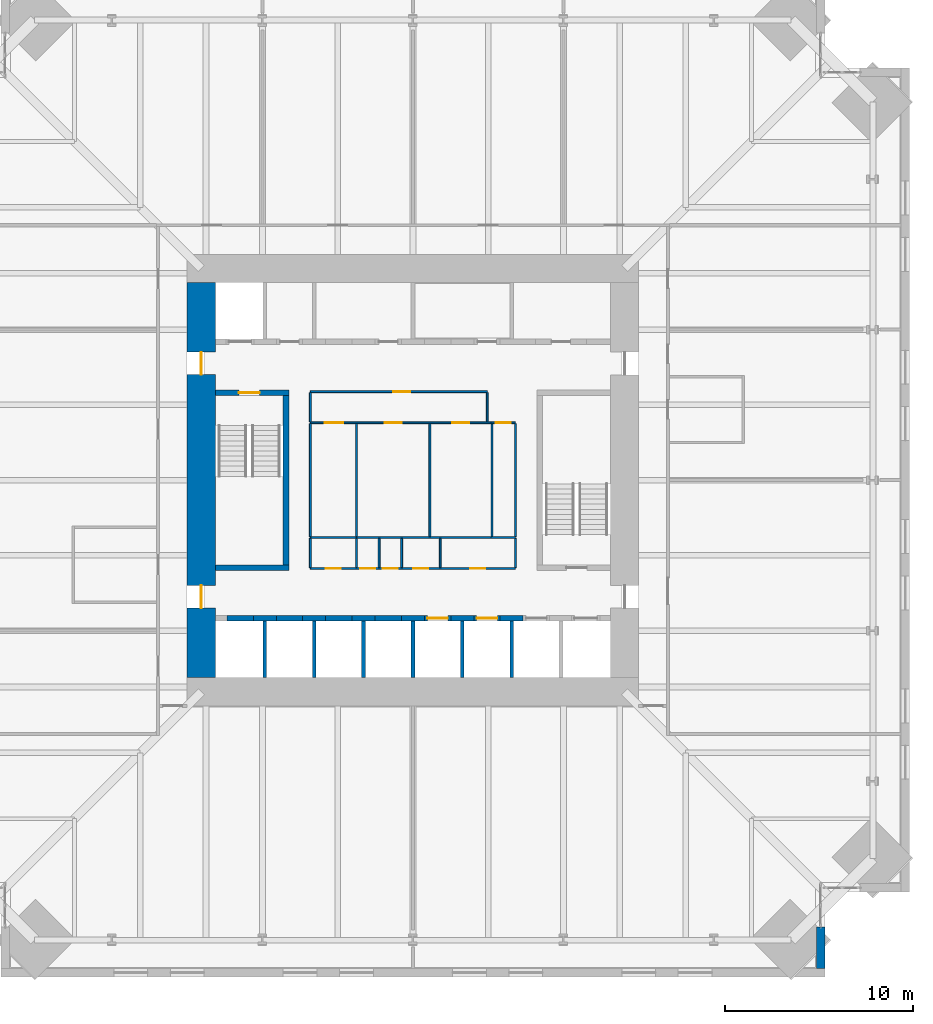
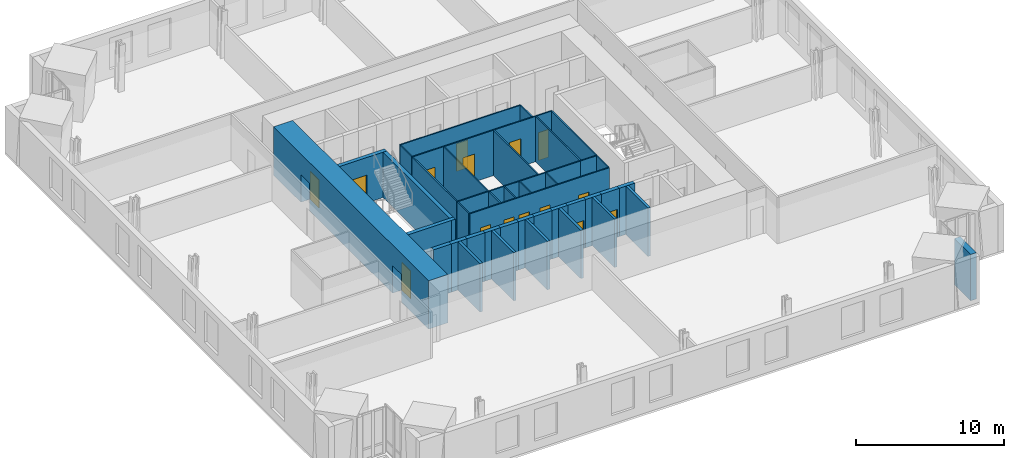
# One storey, part 14 of 18: 42 walls, 15 doors, 15 openings.
"""IFC4 building model written with IfcOpenShell, lengths in metres."""

from ifc_helpers import new_model, si_unit, direction, frame, frame_2d, origin, place, context, subcontext, project, spatial, rectangle, extrude, material, layer, layer_set, type_object, element, fill, save


model = new_model("IFC4")

# Units and contexts
model_context = context("Model", 3, precision=1e-05, world=origin(), true_north=direction((0.0, 1.0)))
body_context = subcontext(model_context, "Body", "Model", "MODEL_VIEW")
ifc_project = project(units=[si_unit("LENGTHUNIT", "METRE"), si_unit("AREAUNIT", "SQUARE_METRE"), si_unit("VOLUMEUNIT", "CUBIC_METRE"), si_unit("PLANEANGLEUNIT", "RADIAN"), si_unit("MASSUNIT", "GRAM", prefix="KILO")], contexts=[model_context])

# Site, building, storey
site_placement = place(None, origin())
site = spatial("IfcSite", under=ifc_project, at=site_placement, CompositionType="ELEMENT")
building_placement = place(site_placement, origin())
building = spatial("IfcBuilding", under=site, at=building_placement, Name="Peilmerk Tower", CompositionType="ELEMENT")
storey_placement = place(building_placement, frame((0.0, 0.0, 159.800048828125)))
storey = spatial("IfcBuildingStorey", under=building, at=storey_placement, Name="L33", CompositionType="ELEMENT", Elevation=159.800048828125)

# Walls
ifc_material_1 = material(Name="Precast concrete C45/55, board-marked finish", Category="concrete")
ifc_layer_1 = layer(ifc_material_1, 0.449951171875)
ifc_layer_set_1 = layer_set([ifc_layer_1], Name="Precast concrete C45/55, board-marked finish")
wall_type_1 = type_object("IfcWallType", Name="EW1 450 precast concrete facade wall, board-marked", PredefinedType="SOLIDWALL", material=ifc_layer_set_1)
wall_1_placement = place(storey_placement, frame((21.675048828125, -23.753662109375, 0.0), z_axis=(0.0, 0.0, 1.0), x_axis=(0.0, -1.0, 0.0)))
element("IfcWall", 1, at=wall_1_placement, inside=storey, type_object=wall_type_1, Name="Facade wall SEA L33", PredefinedType="SOLIDWALL", context=body_context, shape_type="SweptSolid", body=[
    extrude(rectangle(XDim=2.1962890625, YDim=0.449951171875, at=frame_2d((1.09814453125, 0.0))), origin(), (0.0, 0.0, 1.0), 3.829833984375),
])
ifc_material_2 = material(Name="Concrete C35/45", Category="concrete")
ifc_layer_2 = layer(ifc_material_2, 0.300048828125)
ifc_layer_set_2 = layer_set([ifc_layer_2], Name="Concrete C35/45")
wall_type_2 = type_object("IfcWallType", Name="IW3 300 concrete stair enclosure wall, EI 120", PredefinedType="SOLIDWALL", material=ifc_layer_set_2)
wall_2_placement = place(storey_placement, frame((-6.75, -4.800048828125, 0.0), z_axis=(0.0, 0.0, 1.0), x_axis=(0.0, 1.0, 0.0)))
element("IfcWall", 2, at=wall_2_placement, inside=storey, type_object=wall_type_2, Name="Stair 1 enclosure L33", PredefinedType="SOLIDWALL", context=body_context, shape_type="SweptSolid", body=[
    extrude(rectangle(XDim=9.60009765625, YDim=0.300048828125, at=frame_2d((4.800048828125, 0.0))), origin(), (0.0, 0.0, 1.0), 3.75),
])

# Wall, opening, door
wall_3_placement = place(storey_placement, frame((-10.5, 4.64990234375, 0.0), z_axis=(0.0, 0.0, 1.0), x_axis=(1.0, 0.0, 0.0)))
wall_3 = element("IfcWall", 3, at=wall_3_placement, inside=storey, type_object=wall_type_2, Name="Stair 1 enclosure L33", PredefinedType="SOLIDWALL", context=body_context, shape_type="SweptSolid", body=[
    extrude(rectangle(XDim=3.89990234375, YDim=0.300048828125, at=frame_2d((1.949951171875, 0.0))), origin(), (0.0, 0.0, 1.0), 3.75),
])
opening_1_placement = place(wall_3_placement, frame((1.25, 0.0, 0.0)))
opening_1 = element("IfcOpeningElement", 4, at=opening_1_placement, cuts=wall_3, Name="Opening D4", PredefinedType="OPENING", context=body_context, shape_type="SweptSolid", body=[
    extrude(rectangle(XDim=1.10009765625, YDim=2.300048828125, at=frame_2d((0.550048828125, 1.14990234375))), frame((0.0, 0.159912109375, 0.0), z_axis=(0.0, -1.0, 0.0), x_axis=(1.0, 0.0, 0.0)), (0.0, 0.0, 1.0), 0.320068359375),
])
ifc_material_3 = material(Name="Steel door in steel frame", Category="steel")
door_type_1 = type_object("IfcDoorType", Name="D4 1100x2300 stair door, EI2 60", OperationType="SINGLE_SWING_RIGHT", PredefinedType="DOOR", material=ifc_material_3)
door_1_placement = place(opening_1_placement, frame((1.10009765625, 0.0, 0.0), z_axis=(0.0, 0.0, 1.0), x_axis=(-1.0, 0.0, 0.0)))
door_1 = element("IfcDoor", 5, at=door_1_placement, inside=storey, type_object=door_type_1, Name="Stair 1 door L33", OperationType="SINGLE_SWING_RIGHT", OverallHeight=2.300048828125, OverallWidth=1.10009765625, PredefinedType="DOOR", context=body_context, shape_type="SweptSolid", body=[
    extrude(rectangle(XDim=1.10009765625, YDim=2.300048828125, at=frame_2d((0.550048828125, 1.14990234375))), frame((0.0, 0.02490234375, 0.0), z_axis=(0.0, -1.0, 0.0), x_axis=(1.0, 0.0, 0.0)), (0.0, 0.0, 1.0), 0.050048828125),
])
fill(opening_1, door_1)

# Wall
wall_4_placement = place(storey_placement, frame((-6.60009765625, -4.64990234375, 0.0), z_axis=(0.0, 0.0, 1.0), x_axis=(-1.0, 0.0, 0.0)))
element("IfcWall", 6, at=wall_4_placement, inside=storey, type_object=wall_type_2, Name="Stair 1 enclosure L33", PredefinedType="SOLIDWALL", context=body_context, shape_type="SweptSolid", body=[
    extrude(rectangle(XDim=3.89990234375, YDim=0.300048828125, at=frame_2d((1.949951171875, 0.0))), origin(), (0.0, 0.0, 1.0), 3.75),
])

# Wall, openings, doors
ifc_material_4 = material(Name="Plasterboard on steel studs", Category="steel")
ifc_layer_3 = layer(ifc_material_4, 0.10009765625)
ifc_layer_set_3 = layer_set([ifc_layer_3], Name="Plasterboard on steel studs")
wall_type_3 = type_object("IfcWallType", Name="IW4 100 WC partition", PredefinedType="PARTITIONING", material=ifc_layer_set_3)
wall_5_placement = place(storey_placement, frame((-5.449951171875, 3.050048828125, 0.0), z_axis=(0.0, 0.0, 1.0), x_axis=(1.0, 0.0, 0.0)))
wall_5 = element("IfcWall", 7, at=wall_5_placement, inside=storey, type_object=wall_type_3, Name="WC wall L33", PredefinedType="PARTITIONING", context=body_context, shape_type="SweptSolid", body=[
    extrude(rectangle(XDim=9.599853515625, YDim=0.10009765625, at=frame_2d((4.7998046875, 0.0))), origin(), (0.0, 0.0, 1.0), 3.75),
])
opening_2_placement = place(wall_5_placement, frame((0.75, 0.0, 0.0)))
opening_2 = element("IfcOpeningElement", 8, at=opening_2_placement, cuts=wall_5, Name="Opening D6", PredefinedType="OPENING", context=body_context, shape_type="SweptSolid", body=[
    extrude(rectangle(XDim=1.0, YDim=2.300048828125, at=frame_2d((0.5, 1.14990234375))), frame((0.0, 0.06005859375, 0.0), z_axis=(0.0, -1.0, 0.0), x_axis=(1.0, 0.0, 0.0)), (0.0, 0.0, 1.0), 0.1201171875),
])
opening_3_placement = place(wall_5_placement, frame((3.949951171875, 0.0, 0.0)))
opening_3 = element("IfcOpeningElement", 9, at=opening_3_placement, cuts=wall_5, Name="Opening D5", PredefinedType="OPENING", context=body_context, shape_type="SweptSolid", body=[
    extrude(rectangle(XDim=0.89990234375, YDim=2.300048828125, at=frame_2d((0.449951171875, 1.14990234375))), frame((0.0, 0.06005859375, 0.0), z_axis=(0.0, -1.0, 0.0), x_axis=(1.0, 0.0, 0.0)), (0.0, 0.0, 1.0), 0.1201171875),
])
opening_4_placement = place(wall_5_placement, frame((7.550048828125, 0.0, 0.0)))
opening_4 = element("IfcOpeningElement", 10, at=opening_4_placement, cuts=wall_5, Name="Opening D5", PredefinedType="OPENING", context=body_context, shape_type="SweptSolid", body=[
    extrude(rectangle(XDim=0.89990234375, YDim=2.300048828125, at=frame_2d((0.449951171875, 1.14990234375))), frame((0.0, 0.06005859375, 0.0), z_axis=(0.0, -1.0, 0.0), x_axis=(1.0, 0.0, 0.0)), (0.0, 0.0, 1.0), 0.1201171875),
])
ifc_material_5 = material(Name="Timber door in steel frame", Category="steel")
door_type_2 = type_object("IfcDoorType", Name="D5 900x2300 WC door", OperationType="SINGLE_SWING_LEFT", PredefinedType="DOOR", material=ifc_material_5)
door_2_placement = place(opening_3_placement, frame((0.89990234375, 0.0, 0.0), z_axis=(0.0, 0.0, 1.0), x_axis=(-1.0, 0.0, 0.0)))
door_2 = element("IfcDoor", 11, at=door_2_placement, inside=storey, type_object=door_type_2, Name="Female toilets door L33", OperationType="SINGLE_SWING_LEFT", OverallHeight=2.300048828125, OverallWidth=0.89990234375, PredefinedType="DOOR", context=body_context, shape_type="SweptSolid", body=[
    extrude(rectangle(XDim=0.89990234375, YDim=2.300048828125, at=frame_2d((0.449951171875, 1.14990234375))), frame((0.0, 0.02490234375, 0.0), z_axis=(0.0, -1.0, 0.0), x_axis=(1.0, 0.0, 0.0)), (0.0, 0.0, 1.0), 0.050048828125),
])
fill(opening_3, door_2)
door_3_placement = place(opening_4_placement, frame((0.89990234375, 0.0, 0.0), z_axis=(0.0, 0.0, 1.0), x_axis=(-1.0, 0.0, 0.0)))
door_3 = element("IfcDoor", 12, at=door_3_placement, inside=storey, type_object=door_type_2, Name="Male toilets door L33", OperationType="SINGLE_SWING_LEFT", OverallHeight=2.300048828125, OverallWidth=0.89990234375, PredefinedType="DOOR", context=body_context, shape_type="SweptSolid", body=[
    extrude(rectangle(XDim=0.89990234375, YDim=2.300048828125, at=frame_2d((0.449951171875, 1.14990234375))), frame((0.0, 0.02490234375, 0.0), z_axis=(0.0, -1.0, 0.0), x_axis=(1.0, 0.0, 0.0)), (0.0, 0.0, 1.0), 0.050048828125),
])
fill(opening_4, door_3)
door_type_3 = type_object("IfcDoorType", Name="D6 1000x2300 accessible WC door", OperationType="SLIDING_TO_LEFT", PredefinedType="DOOR", material=ifc_material_5)
door_4_placement = place(opening_2_placement, frame((1.0, 0.0, 0.0), z_axis=(0.0, 0.0, 1.0), x_axis=(-1.0, 0.0, 0.0)))
door_4 = element("IfcDoor", 13, at=door_4_placement, inside=storey, type_object=door_type_3, Name="Accessible WC door L33", OperationType="SLIDING_TO_LEFT", OverallHeight=2.300048828125, OverallWidth=1.0, PredefinedType="DOOR", context=body_context, shape_type="SweptSolid", body=[
    extrude(rectangle(XDim=1.0, YDim=2.300048828125, at=frame_2d((0.5, 1.14990234375))), frame((0.0, 0.02490234375, 0.0), z_axis=(0.0, -1.0, 0.0), x_axis=(1.0, 0.0, 0.0)), (0.0, 0.0, 1.0), 0.050048828125),
])
fill(opening_2, door_4)

# Walls
wall_6_placement = place(storey_placement, frame((4.14990234375, -3.050048828125, 0.0), z_axis=(0.0, 0.0, 1.0), x_axis=(-1.0, 0.0, 0.0)))
element("IfcWall", 14, at=wall_6_placement, inside=storey, type_object=wall_type_3, Name="WC wall L33", PredefinedType="PARTITIONING", context=body_context, shape_type="SweptSolid", body=[
    extrude(rectangle(XDim=9.599853515625, YDim=0.10009765625, at=frame_2d((4.7998046875, 0.0))), origin(), (0.0, 0.0, 1.0), 3.75),
])
for number, where, z_axis, x_axis, name in (
    (15, (-5.449951171875, -3.0, 0.0), (0.0, 0.0, 1.0), (0.0, 1.0, 0.0), "WC wall L33"),
    (16, (-3.0, -3.0, 0.0), (0.0, 0.0, 1.0), (0.0, 1.0, 0.0), "WC wall L33"),
    (17, (0.89990234375, -3.0, 0.0), (0.0, 0.0, 1.0), (0.0, 1.0, 0.0), "WC wall L33"),
):
    element("IfcWall", number, at=place(storey_placement, frame(where, z_axis=z_axis, x_axis=x_axis)), inside=storey, type_object=wall_type_3, Name=name, PredefinedType="PARTITIONING", context=body_context, shape_type="SweptSolid", body=[
        extrude(rectangle(XDim=6.0, YDim=0.10009765625, at=frame_2d((3.0, 0.0))), origin(), (0.0, 0.0, 1.0), 3.75),
    ])

# Wall, opening, door
ifc_material_6 = material(Name="Calcium silicate board on steel studs", Category="steel")
ifc_layer_4 = layer(ifc_material_6, 0.10009765625)
ifc_layer_set_4 = layer_set([ifc_layer_4], Name="Calcium silicate board on steel studs")
wall_type_4 = type_object("IfcWallType", Name="IW5 100 riser enclosure wall, EI 60", PredefinedType="PARTITIONING", material=ifc_layer_set_4)
wall_7_placement = place(storey_placement, frame((4.14990234375, 3.050048828125, 0.0), z_axis=(0.0, 0.0, 1.0), x_axis=(1.0, 0.0, 0.0)))
wall_7 = element("IfcWall", 18, at=wall_7_placement, inside=storey, type_object=wall_type_4, Name="Riser wall L33", PredefinedType="PARTITIONING", context=body_context, shape_type="SweptSolid", body=[
    extrude(rectangle(XDim=1.300048828125, YDim=0.10009765625, at=frame_2d((0.64990234375, 0.0))), origin(), (0.0, 0.0, 1.0), 3.75),
])
opening_5_placement = place(wall_7_placement, frame((0.25, 0.0, 0.0)))
opening_5 = element("IfcOpeningElement", 19, at=opening_5_placement, cuts=wall_7, Name="Opening D7", PredefinedType="OPENING", context=body_context, shape_type="SweptSolid", body=[
    extrude(rectangle(XDim=0.800048828125, YDim=2.300048828125, at=frame_2d((0.39990234375, 1.14990234375))), frame((0.0, 0.06005859375, 0.0), z_axis=(0.0, -1.0, 0.0), x_axis=(1.0, 0.0, 0.0)), (0.0, 0.0, 1.0), 0.1201171875),
])
door_type_4 = type_object("IfcDoorType", Name="D7 800x2300 riser access door, EI2 60", OperationType="SINGLE_SWING_RIGHT", PredefinedType="DOOR", material=ifc_material_3)
door_5_placement = place(opening_5_placement, frame((0.800048828125, 0.0, 0.0), z_axis=(0.0, 0.0, 1.0), x_axis=(-1.0, 0.0, 0.0)))
door_5 = element("IfcDoor", 20, at=door_5_placement, inside=storey, type_object=door_type_4, Name="Plumbing riser door L33", OperationType="SINGLE_SWING_RIGHT", OverallHeight=2.300048828125, OverallWidth=0.800048828125, PredefinedType="DOOR", context=body_context, shape_type="SweptSolid", body=[
    extrude(rectangle(XDim=0.800048828125, YDim=2.300048828125, at=frame_2d((0.39990234375, 1.14990234375))), frame((0.0, 0.02490234375, 0.0), z_axis=(0.0, -1.0, 0.0), x_axis=(1.0, 0.0, 0.0)), (0.0, 0.0, 1.0), 0.050048828125),
])
fill(opening_5, door_5)

# Walls
wall_8_placement = place(storey_placement, frame((5.449951171875, -3.050048828125, 0.0), z_axis=(0.0, 0.0, 1.0), x_axis=(-1.0, 0.0, 0.0)))
element("IfcWall", 21, at=wall_8_placement, inside=storey, type_object=wall_type_4, Name="Riser wall L33", PredefinedType="PARTITIONING", context=body_context, shape_type="SweptSolid", body=[
    extrude(rectangle(XDim=1.300048828125, YDim=0.10009765625, at=frame_2d((0.64990234375, 0.0))), origin(), (0.0, 0.0, 1.0), 3.75),
])
for number, where, z_axis, x_axis, name in (
    (22, (5.449951171875, 3.0, 0.0), (0.0, 0.0, 1.0), (0.0, -1.0, 0.0), "Riser wall L33"),
    (23, (4.199951171875, -3.0, 0.0), (0.0, 0.0, 1.0), (0.0, 1.0, 0.0), "Riser wall L33"),
):
    element("IfcWall", number, at=place(storey_placement, frame(where, z_axis=z_axis, x_axis=x_axis)), inside=storey, type_object=wall_type_4, Name=name, PredefinedType="PARTITIONING", context=body_context, shape_type="SweptSolid", body=[
        extrude(rectangle(XDim=6.0, YDim=0.10009765625, at=frame_2d((3.0, 0.0))), origin(), (0.0, 0.0, 1.0), 3.75),
    ])

# Wall, openings, doors
wall_9_placement = place(storey_placement, frame((5.449951171875, -4.699951171875, 0.0), z_axis=(0.0, 0.0, 1.0), x_axis=(-1.0, 0.0, 0.0)))
wall_9 = element("IfcWall", 24, at=wall_9_placement, inside=storey, type_object=wall_type_4, Name="Riser wall L33", PredefinedType="PARTITIONING", context=body_context, shape_type="SweptSolid", body=[
    extrude(rectangle(XDim=10.89990234375, YDim=0.10009765625, at=frame_2d((5.449951171875, 0.0))), origin(), (0.0, 0.0, 1.0), 3.75),
])
opening_6_placement = place(wall_9_placement, frame((9.27490234375, 0.0, 0.0)))
opening_6 = element("IfcOpeningElement", 25, at=opening_6_placement, cuts=wall_9, Name="Opening D7", PredefinedType="OPENING", context=body_context, shape_type="SweptSolid", body=[
    extrude(rectangle(XDim=0.800048828125, YDim=2.300048828125, at=frame_2d((0.39990234375, 1.14990234375))), frame((0.0, 0.06005859375, 0.0), z_axis=(0.0, -1.0, 0.0), x_axis=(1.0, 0.0, 0.0)), (0.0, 0.0, 1.0), 0.1201171875),
])
opening_7_placement = place(wall_9_placement, frame((7.449951171875, 0.0, 0.0)))
opening_7 = element("IfcOpeningElement", 26, at=opening_7_placement, cuts=wall_9, Name="Opening D7", PredefinedType="OPENING", context=body_context, shape_type="SweptSolid", body=[
    extrude(rectangle(XDim=0.800048828125, YDim=2.300048828125, at=frame_2d((0.39990234375, 1.14990234375))), frame((0.0, 0.06005859375, 0.0), z_axis=(0.0, -1.0, 0.0), x_axis=(1.0, 0.0, 0.0)), (0.0, 0.0, 1.0), 0.1201171875),
])
opening_8_placement = place(wall_9_placement, frame((6.25, 0.0, 0.0)))
opening_8 = element("IfcOpeningElement", 27, at=opening_8_placement, cuts=wall_9, Name="Opening D7", PredefinedType="OPENING", context=body_context, shape_type="SweptSolid", body=[
    extrude(rectangle(XDim=0.800048828125, YDim=2.300048828125, at=frame_2d((0.39990234375, 1.14990234375))), frame((0.0, 0.06005859375, 0.0), z_axis=(0.0, -1.0, 0.0), x_axis=(1.0, 0.0, 0.0)), (0.0, 0.0, 1.0), 0.1201171875),
])
opening_9_placement = place(wall_9_placement, frame((4.625, 0.0, 0.0)))
opening_9 = element("IfcOpeningElement", 28, at=opening_9_placement, cuts=wall_9, Name="Opening D7", PredefinedType="OPENING", context=body_context, shape_type="SweptSolid", body=[
    extrude(rectangle(XDim=0.800048828125, YDim=2.300048828125, at=frame_2d((0.39990234375, 1.14990234375))), frame((0.0, 0.06005859375, 0.0), z_axis=(0.0, -1.0, 0.0), x_axis=(1.0, 0.0, 0.0)), (0.0, 0.0, 1.0), 0.1201171875),
])
opening_10_placement = place(wall_9_placement, frame((1.60009765625, 0.0, 0.0)))
opening_10 = element("IfcOpeningElement", 29, at=opening_10_placement, cuts=wall_9, Name="Opening D7", PredefinedType="OPENING", context=body_context, shape_type="SweptSolid", body=[
    extrude(rectangle(XDim=0.800048828125, YDim=2.300048828125, at=frame_2d((0.39990234375, 1.14990234375))), frame((0.0, 0.06005859375, 0.0), z_axis=(0.0, -1.0, 0.0), x_axis=(1.0, 0.0, 0.0)), (0.0, 0.0, 1.0), 0.1201171875),
])
door_6_placement = place(opening_6_placement, frame((0.800048828125, 0.0, 0.0), z_axis=(0.0, 0.0, 1.0), x_axis=(-1.0, 0.0, 0.0)))
door_6 = element("IfcDoor", 30, at=door_6_placement, inside=storey, type_object=door_type_4, Name="Cleaner's cupboard door L33", OperationType="SINGLE_SWING_RIGHT", OverallHeight=2.300048828125, OverallWidth=0.800048828125, PredefinedType="DOOR", context=body_context, shape_type="SweptSolid", body=[
    extrude(rectangle(XDim=0.800048828125, YDim=2.300048828125, at=frame_2d((0.39990234375, 1.14990234375))), frame((0.0, 0.02490234375, 0.0), z_axis=(0.0, -1.0, 0.0), x_axis=(1.0, 0.0, 0.0)), (0.0, 0.0, 1.0), 0.050048828125),
])
fill(opening_6, door_6)
door_7_placement = place(opening_7_placement, frame((0.800048828125, 0.0, 0.0), z_axis=(0.0, 0.0, 1.0), x_axis=(-1.0, 0.0, 0.0)))
door_7 = element("IfcDoor", 31, at=door_7_placement, inside=storey, type_object=door_type_4, Name="Electrical riser door L33", OperationType="SINGLE_SWING_RIGHT", OverallHeight=2.300048828125, OverallWidth=0.800048828125, PredefinedType="DOOR", context=body_context, shape_type="SweptSolid", body=[
    extrude(rectangle(XDim=0.800048828125, YDim=2.300048828125, at=frame_2d((0.39990234375, 1.14990234375))), frame((0.0, 0.02490234375, 0.0), z_axis=(0.0, -1.0, 0.0), x_axis=(1.0, 0.0, 0.0)), (0.0, 0.0, 1.0), 0.050048828125),
])
fill(opening_7, door_7)
door_8_placement = place(opening_8_placement, frame((0.800048828125, 0.0, 0.0), z_axis=(0.0, 0.0, 1.0), x_axis=(-1.0, 0.0, 0.0)))
door_8 = element("IfcDoor", 32, at=door_8_placement, inside=storey, type_object=door_type_4, Name="Data riser door L33", OperationType="SINGLE_SWING_RIGHT", OverallHeight=2.300048828125, OverallWidth=0.800048828125, PredefinedType="DOOR", context=body_context, shape_type="SweptSolid", body=[
    extrude(rectangle(XDim=0.800048828125, YDim=2.300048828125, at=frame_2d((0.39990234375, 1.14990234375))), frame((0.0, 0.02490234375, 0.0), z_axis=(0.0, -1.0, 0.0), x_axis=(1.0, 0.0, 0.0)), (0.0, 0.0, 1.0), 0.050048828125),
])
fill(opening_8, door_8)
door_9_placement = place(opening_9_placement, frame((0.800048828125, 0.0, 0.0), z_axis=(0.0, 0.0, 1.0), x_axis=(-1.0, 0.0, 0.0)))
door_9 = element("IfcDoor", 33, at=door_9_placement, inside=storey, type_object=door_type_4, Name="Electrical room door L33", OperationType="SINGLE_SWING_RIGHT", OverallHeight=2.300048828125, OverallWidth=0.800048828125, PredefinedType="DOOR", context=body_context, shape_type="SweptSolid", body=[
    extrude(rectangle(XDim=0.800048828125, YDim=2.300048828125, at=frame_2d((0.39990234375, 1.14990234375))), frame((0.0, 0.02490234375, 0.0), z_axis=(0.0, -1.0, 0.0), x_axis=(1.0, 0.0, 0.0)), (0.0, 0.0, 1.0), 0.050048828125),
])
fill(opening_9, door_9)
door_10_placement = place(opening_10_placement, frame((0.800048828125, 0.0, 0.0), z_axis=(0.0, 0.0, 1.0), x_axis=(-1.0, 0.0, 0.0)))
door_10 = element("IfcDoor", 34, at=door_10_placement, inside=storey, type_object=door_type_4, Name="Comms room door L33", OperationType="SINGLE_SWING_RIGHT", OverallHeight=2.300048828125, OverallWidth=0.800048828125, PredefinedType="DOOR", context=body_context, shape_type="SweptSolid", body=[
    extrude(rectangle(XDim=0.800048828125, YDim=2.300048828125, at=frame_2d((0.39990234375, 1.14990234375))), frame((0.0, 0.02490234375, 0.0), z_axis=(0.0, -1.0, 0.0), x_axis=(1.0, 0.0, 0.0)), (0.0, 0.0, 1.0), 0.050048828125),
])
fill(opening_10, door_10)

# Walls
for number, where, z_axis, x_axis, name in (
    (35, (-5.449951171875, -3.10009765625, 0.0), (0.0, 0.0, 1.0), (0.0, -1.0, 0.0), "Riser wall L33"),
    (36, (5.449951171875, -3.10009765625, 0.0), (0.0, 0.0, 1.0), (0.0, -1.0, 0.0), "Riser wall L33"),
    (37, (-3.0, -3.10009765625, 0.0), (0.0, 0.0, 1.0), (0.0, -1.0, 0.0), "Riser wall L33"),
    (38, (-1.800048828125, -3.10009765625, 0.0), (0.0, 0.0, 1.0), (0.0, -1.0, 0.0), "Riser wall L33"),
    (39, (-0.60009765625, -3.10009765625, 0.0), (0.0, 0.0, 1.0), (0.0, -1.0, 0.0), "Riser wall L33"),
    (40, (1.449951171875, -3.10009765625, 0.0), (0.0, 0.0, 1.0), (0.0, -1.0, 0.0), "Riser wall L33"),
):
    element("IfcWall", number, at=place(storey_placement, frame(where, z_axis=z_axis, x_axis=x_axis)), inside=storey, type_object=wall_type_4, Name=name, PredefinedType="PARTITIONING", context=body_context, shape_type="SweptSolid", body=[
        extrude(rectangle(XDim=1.5498046875, YDim=0.10009765625, at=frame_2d((0.77490234375, 0.0))), origin(), (0.0, 0.0, 1.0), 3.75),
    ])

# Wall, opening, door
ifc_material_7 = material(Name="Fire-resisting plasterboard on steel studs", Category="steel")
ifc_layer_5 = layer(ifc_material_7, 0.10009765625)
ifc_layer_set_5 = layer_set([ifc_layer_5], Name="Fire-resisting plasterboard on steel studs")
wall_type_5 = type_object("IfcWallType", Name="IW9 100 WC lobby wall, EI 30", PredefinedType="PARTITIONING", material=ifc_layer_set_5)
wall_10_placement = place(storey_placement, frame((-5.449951171875, 4.699951171875, 0.0), z_axis=(0.0, 0.0, 1.0), x_axis=(1.0, 0.0, 0.0)))
wall_10 = element("IfcWall", 41, at=wall_10_placement, inside=storey, type_object=wall_type_5, Name="WC lobby wall L33", PredefinedType="PARTITIONING", context=body_context, shape_type="SweptSolid", body=[
    extrude(rectangle(XDim=9.39990234375, YDim=0.10009765625, at=frame_2d((4.699951171875, 0.0))), origin(), (0.0, 0.0, 1.0), 3.75),
])
opening_11_placement = place(wall_10_placement, frame((4.39990234375, 0.0, 0.0)))
opening_11 = element("IfcOpeningElement", 42, at=opening_11_placement, cuts=wall_10, Name="Opening D11", PredefinedType="OPENING", context=body_context, shape_type="SweptSolid", body=[
    extrude(rectangle(XDim=0.89990234375, YDim=2.300048828125, at=frame_2d((0.449951171875, 1.14990234375))), frame((0.0, 0.06005859375, 0.0), z_axis=(0.0, -1.0, 0.0), x_axis=(1.0, 0.0, 0.0)), (0.0, 0.0, 1.0), 0.1201171875),
])
door_type_5 = type_object("IfcDoorType", Name="D11 900x2300 WC lobby door, EI2 30", OperationType="SINGLE_SWING_LEFT", PredefinedType="DOOR", material=ifc_material_5)
door_11_placement = place(opening_11_placement, frame((0.89990234375, 0.0, 0.0), z_axis=(0.0, 0.0, 1.0), x_axis=(-1.0, 0.0, 0.0)))
door_11 = element("IfcDoor", 43, at=door_11_placement, inside=storey, type_object=door_type_5, Name="WC lobby door L33", OperationType="SINGLE_SWING_LEFT", OverallHeight=2.300048828125, OverallWidth=0.89990234375, PredefinedType="DOOR", context=body_context, shape_type="SweptSolid", body=[
    extrude(rectangle(XDim=0.89990234375, YDim=2.300048828125, at=frame_2d((0.449951171875, 1.14990234375))), frame((0.0, 0.02490234375, 0.0), z_axis=(0.0, -1.0, 0.0), x_axis=(1.0, 0.0, 0.0)), (0.0, 0.0, 1.0), 0.050048828125),
])
fill(opening_11, door_11)

# Walls
for number, where, z_axis, x_axis, name in (
    (44, (-5.449951171875, 3.10009765625, 0.0), (0.0, 0.0, 1.0), (0.0, 1.0, 0.0), "WC lobby wall L33"),
    (45, (3.949951171875, 3.10009765625, 0.0), (0.0, 0.0, 1.0), (0.0, 1.0, 0.0), "WC lobby wall L33"),
):
    element("IfcWall", number, at=place(storey_placement, frame(where, z_axis=z_axis, x_axis=x_axis)), inside=storey, type_object=wall_type_5, Name=name, PredefinedType="PARTITIONING", context=body_context, shape_type="SweptSolid", body=[
        extrude(rectangle(XDim=1.5498046875, YDim=0.10009765625, at=frame_2d((0.77490234375, 0.0))), origin(), (0.0, 0.0, 1.0), 3.75),
    ])
ifc_material_8 = material(Name="Calcium silicate block", Category="masonry")
ifc_layer_6 = layer(ifc_material_8, 0.199951171875)
ifc_layer_set_6 = layer_set([ifc_layer_6], Name="Calcium silicate block")
wall_type_6 = type_object("IfcWallType", Name="SH1 200 shaft dividing wall, EI 120", PredefinedType="PARTITIONING", material=ifc_layer_set_6)
for number, where, z_axis, x_axis, name in (
    (46, (-7.875, -10.5, 0.0), (0.0, 0.0, 1.0), (0.0, 1.0, 0.0), "Shaft wall S C4 L33"),
    (47, (-5.25, -10.5, 0.0), (0.0, 0.0, 1.0), (0.0, 1.0, 0.0), "Shaft wall S C3 L33"),
    (48, (-2.625, -10.5, 0.0), (0.0, 0.0, 1.0), (0.0, 1.0, 0.0), "Shaft wall S C2 L33"),
    (49, (0.0, -10.5, 0.0), (0.0, 0.0, 1.0), (0.0, 1.0, 0.0), "Shaft wall S C1 L33"),
    (50, (2.625, -10.5, 0.0), (0.0, 0.0, 1.0), (0.0, 1.0, 0.0), "Shaft wall S B3 L33"),
    (51, (5.25, -10.5, 0.0), (0.0, 0.0, 1.0), (0.0, 1.0, 0.0), "Shaft wall S B2 L33"),
):
    element("IfcWall", number, at=place(storey_placement, frame(where, z_axis=z_axis, x_axis=x_axis)), inside=storey, type_object=wall_type_6, Name=name, PredefinedType="PARTITIONING", context=body_context, shape_type="SweptSolid", body=[
        extrude(rectangle(XDim=3.0, YDim=0.199951171875, at=frame_2d((1.5, 0.0))), origin(), (0.0, 0.0, 1.0), 4.0),
    ])
ifc_layer_7 = layer(ifc_material_8, 0.300048828125)
ifc_layer_set_7 = layer_set([ifc_layer_7], Name="Calcium silicate block")
wall_type_7 = type_object("IfcWallType", Name="SH2 300 lift landing door panel, EI 120", PredefinedType="PARTITIONING", material=ifc_layer_set_7)
for number, where, z_axis, x_axis, name in (
    (52, (-9.887451171875, -7.35009765625, 0.0), (0.0, 0.0, 1.0), (1.0, 0.0, 0.0), "Lift door panel S C4 L33"),
    (53, (-7.262451171875, -7.35009765625, 0.0), (0.0, 0.0, 1.0), (1.0, 0.0, 0.0), "Lift door panel S C3 L33"),
    (54, (-4.637451171875, -7.35009765625, 0.0), (0.0, 0.0, 1.0), (1.0, 0.0, 0.0), "Lift door panel S C2 L33"),
    (55, (-2.012451171875, -7.35009765625, 0.0), (0.0, 0.0, 1.0), (1.0, 0.0, 0.0), "Lift door panel S C1 L33"),
):
    element("IfcWall", number, at=place(storey_placement, frame(where, z_axis=z_axis, x_axis=x_axis)), inside=storey, type_object=wall_type_7, Name=name, PredefinedType="PARTITIONING", context=body_context, shape_type="SweptSolid", body=[
        extrude(rectangle(XDim=1.39990234375, YDim=0.300048828125, at=frame_2d((0.699951171875, 0.0))), origin(), (0.0, 0.0, 1.0), 4.0),
    ])

# Wall, opening, door
wall_11_placement = place(storey_placement, frame((0.612548828125, -7.35009765625, 0.0), z_axis=(0.0, 0.0, 1.0), x_axis=(1.0, 0.0, 0.0)))
wall_11 = element("IfcWall", 56, at=wall_11_placement, inside=storey, type_object=wall_type_7, Name="Lift door panel S B3 L33", PredefinedType="PARTITIONING", context=body_context, shape_type="SweptSolid", body=[
    extrude(rectangle(XDim=1.39990234375, YDim=0.300048828125, at=frame_2d((0.699951171875, 0.0))), origin(), (0.0, 0.0, 1.0), 4.0),
])
opening_12_placement = place(wall_11_placement, frame((0.14990234375, 0.0, 0.0)))
opening_12 = element("IfcOpeningElement", 57, at=opening_12_placement, cuts=wall_11, Name="Opening LD1", PredefinedType="OPENING", context=body_context, shape_type="SweptSolid", body=[
    extrude(rectangle(XDim=1.10009765625, YDim=2.300048828125, at=frame_2d((0.550048828125, 1.14990234375))), frame((0.0, 0.159912109375, 0.0), z_axis=(0.0, -1.0, 0.0), x_axis=(1.0, 0.0, 0.0)), (0.0, 0.0, 1.0), 0.320068359375),
])
ifc_material_9 = material(Name="Stainless steel landing door", Category="steel")
door_type_6 = type_object("IfcDoorType", Name="LD1 1100x2300 lift landing door, sliding, EI2 60", OperationType="SLIDING_TO_LEFT", PredefinedType="DOOR", material=ifc_material_9)
door_12_placement = place(opening_12_placement, origin())
door_12 = element("IfcDoor", 58, at=door_12_placement, inside=storey, type_object=door_type_6, Name="Lift landing door B3 L33", OperationType="SLIDING_TO_LEFT", OverallHeight=2.300048828125, OverallWidth=1.10009765625, PredefinedType="DOOR", context=body_context, shape_type="SweptSolid", body=[
    extrude(rectangle(XDim=1.10009765625, YDim=2.300048828125, at=frame_2d((0.550048828125, 1.14990234375))), frame((0.0, 0.02490234375, 0.0), z_axis=(0.0, -1.0, 0.0), x_axis=(1.0, 0.0, 0.0)), (0.0, 0.0, 1.0), 0.050048828125),
])
fill(opening_12, door_12)

wall_12_placement = place(storey_placement, frame((3.237548828125, -7.35009765625, 0.0), z_axis=(0.0, 0.0, 1.0), x_axis=(1.0, 0.0, 0.0)))
wall_12 = element("IfcWall", 59, at=wall_12_placement, inside=storey, type_object=wall_type_7, Name="Lift door panel S B2 L33", PredefinedType="PARTITIONING", context=body_context, shape_type="SweptSolid", body=[
    extrude(rectangle(XDim=1.39990234375, YDim=0.300048828125, at=frame_2d((0.699951171875, 0.0))), origin(), (0.0, 0.0, 1.0), 4.0),
])
opening_13_placement = place(wall_12_placement, frame((0.14990234375, 0.0, 0.0)))
opening_13 = element("IfcOpeningElement", 60, at=opening_13_placement, cuts=wall_12, Name="Opening LD1", PredefinedType="OPENING", context=body_context, shape_type="SweptSolid", body=[
    extrude(rectangle(XDim=1.10009765625, YDim=2.300048828125, at=frame_2d((0.550048828125, 1.14990234375))), frame((0.0, 0.159912109375, 0.0), z_axis=(0.0, -1.0, 0.0), x_axis=(1.0, 0.0, 0.0)), (0.0, 0.0, 1.0), 0.320068359375),
])
door_13_placement = place(opening_13_placement, origin())
door_13 = element("IfcDoor", 61, at=door_13_placement, inside=storey, type_object=door_type_6, Name="Lift landing door B2 L33", OperationType="SLIDING_TO_LEFT", OverallHeight=2.300048828125, OverallWidth=1.10009765625, PredefinedType="DOOR", context=body_context, shape_type="SweptSolid", body=[
    extrude(rectangle(XDim=1.10009765625, YDim=2.300048828125, at=frame_2d((0.550048828125, 1.14990234375))), frame((0.0, 0.02490234375, 0.0), z_axis=(0.0, -1.0, 0.0), x_axis=(1.0, 0.0, 0.0)), (0.0, 0.0, 1.0), 0.050048828125),
])
fill(opening_13, door_13)

# Wall, openings, doors
ifc_material_10 = material(Name="Concrete C55/67", Category="concrete")
ifc_layer_8 = layer(ifc_material_10, 1.5)
ifc_layer_set_8 = layer_set([ifc_layer_8], Name="Concrete C55/67")
wall_type_8 = type_object("IfcWallType", Name="SW1 1500 core wall", PredefinedType="SHEAR", material=ifc_layer_set_8)
wall_13_placement = place(storey_placement, frame((-11.25, -10.5, 0.0), z_axis=(0.0, 0.0, 1.0), x_axis=(0.0, 1.0, 0.0)))
wall_13 = element("IfcWall", 62, at=wall_13_placement, inside=storey, type_object=wall_type_8, Name="Core wall W L33", PredefinedType="SHEAR", context=body_context, shape_type="SweptSolid", body=[
    extrude(rectangle(XDim=21.0, YDim=1.5, at=frame_2d((10.5, 0.0))), origin(), (0.0, 0.0, 1.0), 4.0),
])
opening_14_placement = place(wall_13_placement, frame((16.10009765625, 0.0, 0.0)))
opening_14 = element("IfcOpeningElement", 63, at=opening_14_placement, cuts=wall_13, Name="Opening D3", PredefinedType="OPENING", context=body_context, shape_type="SweptSolid", body=[
    extrude(rectangle(XDim=1.199951171875, YDim=2.300048828125, at=frame_2d((0.60009765625, 1.14990234375))), frame((0.0, 0.760009765625, 0.0), z_axis=(0.0, -1.0, 0.0), x_axis=(1.0, 0.0, 0.0)), (0.0, 0.0, 1.0), 1.52001953125),
])
opening_15_placement = place(wall_13_placement, frame((3.699951171875, 0.0, 0.0)))
opening_15 = element("IfcOpeningElement", 64, at=opening_15_placement, cuts=wall_13, Name="Opening D3", PredefinedType="OPENING", context=body_context, shape_type="SweptSolid", body=[
    extrude(rectangle(XDim=1.199951171875, YDim=2.300048828125, at=frame_2d((0.60009765625, 1.14990234375))), frame((0.0, 0.760009765625, 0.0), z_axis=(0.0, -1.0, 0.0), x_axis=(1.0, 0.0, 0.0)), (0.0, 0.0, 1.0), 1.52001953125),
])
door_type_7 = type_object("IfcDoorType", Name="D3 1200x2300 core door, EI2 60", OperationType="SINGLE_SWING_LEFT", PredefinedType="DOOR", material=ifc_material_3)
door_14_placement = place(opening_14_placement, frame((1.199951171875, 0.0, 0.0), z_axis=(0.0, 0.0, 1.0), x_axis=(-1.0, 0.0, 0.0)))
door_14 = element("IfcDoor", 65, at=door_14_placement, inside=storey, type_object=door_type_7, Name="Core door L33", OperationType="SINGLE_SWING_LEFT", OverallHeight=2.300048828125, OverallWidth=1.199951171875, PredefinedType="DOOR", context=body_context, shape_type="SweptSolid", body=[
    extrude(rectangle(XDim=1.199951171875, YDim=2.300048828125, at=frame_2d((0.60009765625, 1.14990234375))), frame((0.0, 0.02490234375, 0.0), z_axis=(0.0, -1.0, 0.0), x_axis=(1.0, 0.0, 0.0)), (0.0, 0.0, 1.0), 0.050048828125),
])
fill(opening_14, door_14)
door_15_placement = place(opening_15_placement, frame((1.199951171875, 0.0, 0.0), z_axis=(0.0, 0.0, 1.0), x_axis=(-1.0, 0.0, 0.0)))
door_15 = element("IfcDoor", 66, at=door_15_placement, inside=storey, type_object=door_type_7, Name="Core door L33", OperationType="SINGLE_SWING_LEFT", OverallHeight=2.300048828125, OverallWidth=1.199951171875, PredefinedType="DOOR", context=body_context, shape_type="SweptSolid", body=[
    extrude(rectangle(XDim=1.199951171875, YDim=2.300048828125, at=frame_2d((0.60009765625, 1.14990234375))), frame((0.0, 0.02490234375, 0.0), z_axis=(0.0, -1.0, 0.0), x_axis=(1.0, 0.0, 0.0)), (0.0, 0.0, 1.0), 0.050048828125),
])
fill(opening_15, door_15)

# Walls
ifc_layer_9 = layer(ifc_material_10, 0.300048828125)
ifc_layer_set_9 = layer_set([ifc_layer_9], Name="Concrete C55/67")
wall_type_9 = type_object("IfcWallType", Name="SW2 300 lift bank pier", PredefinedType="SHEAR", material=ifc_layer_set_9)
for number, where, z_axis, x_axis, name in (
    (67, (-8.487548828125, -7.35009765625, 0.0), (0.0, 0.0, 1.0), (1.0, 0.0, 0.0), "Lift bank pier S L33"),
    (68, (-5.862548828125, -7.35009765625, 0.0), (0.0, 0.0, 1.0), (1.0, 0.0, 0.0), "Lift bank pier S L33"),
    (69, (-3.237548828125, -7.35009765625, 0.0), (0.0, 0.0, 1.0), (1.0, 0.0, 0.0), "Lift bank pier S L33"),
    (70, (-0.612548828125, -7.35009765625, 0.0), (0.0, 0.0, 1.0), (1.0, 0.0, 0.0), "Lift bank pier S L33"),
    (71, (2.012451171875, -7.35009765625, 0.0), (0.0, 0.0, 1.0), (1.0, 0.0, 0.0), "Lift bank pier S L33"),
    (72, (4.637451171875, -7.35009765625, 0.0), (0.0, 0.0, 1.0), (1.0, 0.0, 0.0), "Lift bank pier S L33"),
):
    element("IfcWall", number, at=place(storey_placement, frame(where, z_axis=z_axis, x_axis=x_axis)), inside=storey, type_object=wall_type_9, Name=name, PredefinedType="SHEAR", context=body_context, shape_type="SweptSolid", body=[
        extrude(rectangle(XDim=1.22509765625, YDim=0.300048828125, at=frame_2d((0.612548828125, 0.0))), origin(), (0.0, 0.0, 1.0), 4.0),
    ])

save(model, "model.ifc")
